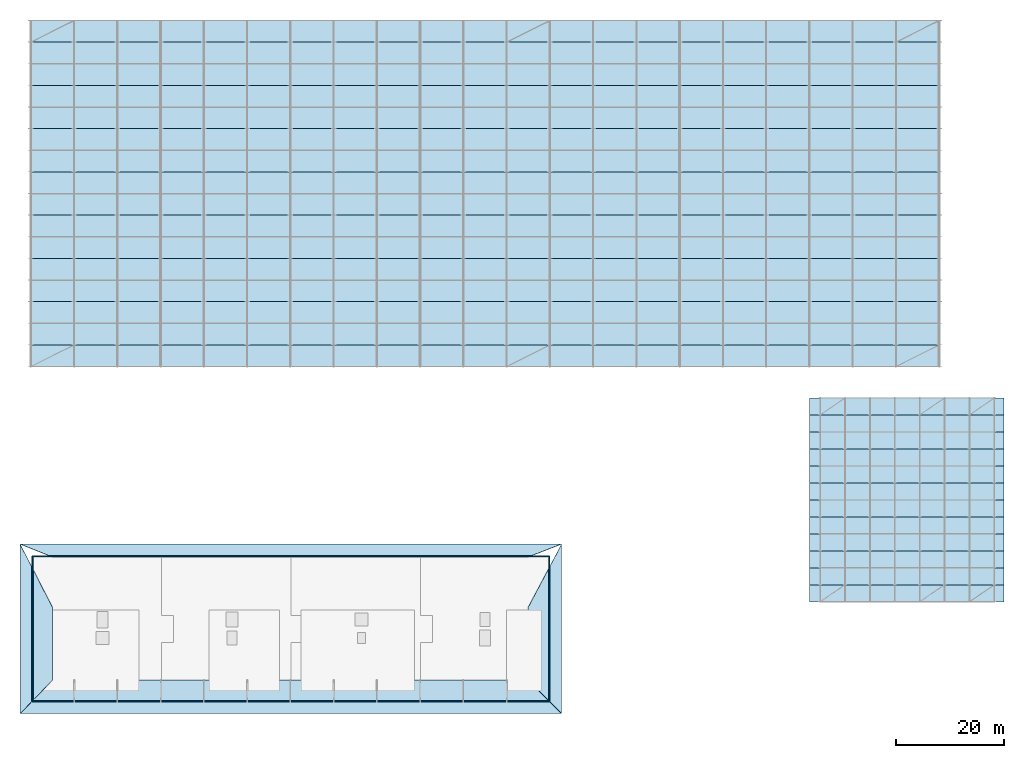
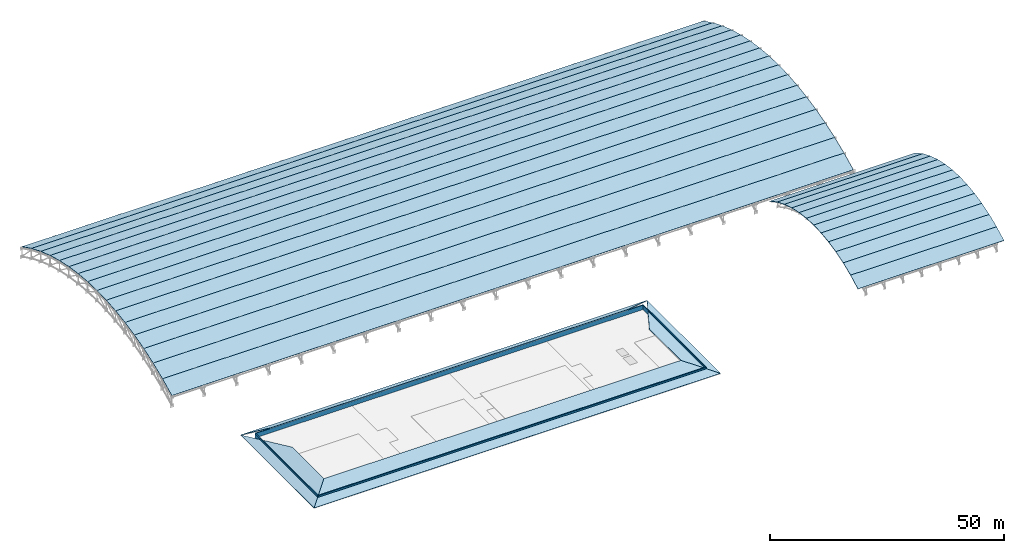
# One storey, part 97 of 98: 32 roofs, 4 walls.
"""IFC4 building model written with IfcOpenShell, lengths in metres."""

from ifc_helpers import new_model, si_unit, direction, frame, frame_2d, origin, place, context, subcontext, project, spatial, polyline, rectangle, outline, extrude, material, layer, layer_set, type_object, element, save


model = new_model("IFC4")

# Units and contexts
model_context = context("Model", 3, precision=1e-05, world=origin(), true_north=direction((0.0, 1.0)))
body_context = subcontext(model_context, "Body", "Model", "MODEL_VIEW")
ifc_project = project(units=[si_unit("LENGTHUNIT", "METRE"), si_unit("AREAUNIT", "SQUARE_METRE"), si_unit("VOLUMEUNIT", "CUBIC_METRE"), si_unit("PLANEANGLEUNIT", "RADIAN"), si_unit("MASSUNIT", "GRAM", prefix="KILO")], contexts=[model_context])

# Site, building, storey
site_placement = place(None, origin())
site = spatial("IfcSite", under=ifc_project, at=site_placement, CompositionType="ELEMENT")
building_placement = place(site_placement, origin())
building = spatial("IfcBuilding", under=site, at=building_placement, Name="Tlacozan Convention Centre", CompositionType="ELEMENT")
storey_placement = place(building_placement, frame((0.0, 0.0, 25.800048828125)))
storey = spatial("IfcBuildingStorey", under=building, at=storey_placement, Name="Roof", CompositionType="ELEMENT", Elevation=25.800048828125)

# Walls
ifc_material_1 = material(Name="Volcanic Cantera Stone Masonry", Category="masonry")
ifc_layer_1 = layer(ifc_material_1, 0.219970703125)
ifc_layer_set_1 = layer_set([ifc_layer_1], Name="Volcanic Cantera Stone Masonry")
wall_type = type_object("IfcWallType", Name="Roof Parapet Coping Wall 220", PredefinedType="PARAPET", material=ifc_layer_set_1)
wall_1_placement = place(storey_placement, frame((0.300048828125, 0.10009765625, 0.0), z_axis=(0.0, 0.0, 1.0), x_axis=(1.0, 0.0, 0.0)))
element("IfcWall", 1, at=wall_1_placement, inside=storey, type_object=wall_type, Name="Roof Roof Parapet Coping Wall 220 215", PredefinedType="PARAPET", context=body_context, shape_type="SweptSolid", body=[
    extrude(rectangle(XDim=95.599853515625, YDim=0.219970703125, at=frame_2d((47.7998046875, 0.0))), origin(), (0.0, 0.0, 1.0), 1.14990234375),
])
wall_2_placement = place(storey_placement, frame((95.89990234375, 0.10009765625, 0.0), z_axis=(0.0, 0.0, 1.0), x_axis=(0.0, 1.0, 0.0)))
element("IfcWall", 2, at=wall_2_placement, inside=storey, type_object=wall_type, Name="Roof Roof Parapet Coping Wall 220 216", PredefinedType="PARAPET", context=body_context, shape_type="SweptSolid", body=[
    extrude(rectangle(XDim=26.7998046875, YDim=0.219970703125, at=frame_2d((13.39990234375, 0.0))), origin(), (0.0, 0.0, 1.0), 1.14990234375),
])
wall_3_placement = place(storey_placement, frame((95.89990234375, 26.89990234375, 0.0), z_axis=(0.0, 0.0, 1.0), x_axis=(-1.0, 0.0, 0.0)))
element("IfcWall", 3, at=wall_3_placement, inside=storey, type_object=wall_type, Name="Roof Roof Parapet Coping Wall 220 217", PredefinedType="PARAPET", context=body_context, shape_type="SweptSolid", body=[
    extrude(rectangle(XDim=95.599853515625, YDim=0.219970703125, at=frame_2d((47.7998046875, 0.0))), origin(), (0.0, 0.0, 1.0), 1.14990234375),
])
wall_4_placement = place(storey_placement, frame((0.300048828125, 26.89990234375, 0.0), z_axis=(0.0, 0.0, 1.0), x_axis=(0.0, -1.0, 0.0)))
element("IfcWall", 4, at=wall_4_placement, inside=storey, type_object=wall_type, Name="Roof Roof Parapet Coping Wall 220 218", PredefinedType="PARAPET", context=body_context, shape_type="SweptSolid", body=[
    extrude(rectangle(XDim=26.7998046875, YDim=0.219970703125, at=frame_2d((13.39990234375, 0.0))), origin(), (0.0, 0.0, 1.0), 1.14990234375),
])

# Roofs
ifc_material_2 = material(Name="Standing-Seam Zinc-Bronze Roof Assembly")
ifc_layer_2 = layer(ifc_material_2, 0.090087890625)
ifc_layer_set_2 = layer_set([ifc_layer_2], Name="Standing-Seam Zinc-Bronze Roof Assembly")
roof_type_1 = type_object("IfcRoofType", Name="Barrel Vaulted Standing-Seam Hall Roof", PredefinedType="BARREL_ROOF", material=ifc_layer_set_2)
roof_1_placement = place(storey_placement, frame((0.0, 62.0, -10.218017578125), z_axis=(0.0, -0.441420866459, 0.897300183135), x_axis=(1.0, 0.0, 0.0)))
element("IfcRoof", 5, at=roof_1_placement, inside=storey, type_object=roof_type_1, Name="V2A Standing-Seam Barrel Roof Facet 1", PredefinedType="BARREL_ROOF", context=body_context, shape_type="SweptSolid", body=[
    extrude(outline(polyline([(0.0, 0.0), (168.0, 0.0), (168.0, 4.457816988317328), (0.0, 4.457816988317328), (0.0, 0.0)])), origin(), (0.0, 0.0, -1.0), 0.090087890625),
])
roof_2_placement = place(storey_placement, frame((0.0, 66.0, -8.250244140625), z_axis=(0.0, -0.382516157575, 0.923948802258), x_axis=(1.0, 0.0, 0.0)))
element("IfcRoof", 6, at=roof_2_placement, inside=storey, type_object=roof_type_1, Name="V2A Standing-Seam Barrel Roof Facet 2", PredefinedType="BARREL_ROOF", context=body_context, shape_type="SweptSolid", body=[
    extrude(outline(polyline([(0.0, 0.0), (168.0, 0.0), (168.0, 4.329244207281951), (0.0, 4.329244207281951), (0.0, 0.0)])), origin(), (0.0, 0.0, -1.0), 0.090087890625),
])
roof_3_placement = place(storey_placement, frame((0.0, 70.0, -6.59423828125), z_axis=(0.0, -0.323684958077, 0.946164915813), x_axis=(1.0, 0.0, 0.0)))
element("IfcRoof", 7, at=roof_3_placement, inside=storey, type_object=roof_type_1, Name="V2A Standing-Seam Barrel Roof Facet 3", PredefinedType="BARREL_ROOF", context=body_context, shape_type="SweptSolid", body=[
    extrude(outline(polyline([(0.0, 0.0), (168.0, 0.0), (168.0, 4.227592815111194), (0.0, 4.227592815111194), (0.0, 0.0)])), origin(), (0.0, 0.0, -1.0), 0.090087890625),
])
roof_4_placement = place(storey_placement, frame((0.0, 74.0, -5.225830078125), z_axis=(0.0, -0.26485005134, 0.964289609145), x_axis=(1.0, 0.0, 0.0)))
element("IfcRoof", 8, at=roof_4_placement, inside=storey, type_object=roof_type_1, Name="V2A Standing-Seam Barrel Roof Facet 4", PredefinedType="BARREL_ROOF", context=body_context, shape_type="SweptSolid", body=[
    extrude(outline(polyline([(0.0, 0.0), (168.0, 0.0), (168.0, 4.148131393374812), (0.0, 4.148131393374812), (0.0, 0.0)])), origin(), (0.0, 0.0, -1.0), 0.090087890625),
])
roof_5_placement = place(storey_placement, frame((0.0, 78.0, -4.127197265625), z_axis=(0.0, -0.205995430674, 0.978552953366), x_axis=(1.0, 0.0, 0.0)))
element("IfcRoof", 9, at=roof_5_placement, inside=storey, type_object=roof_type_1, Name="V2A Standing-Seam Barrel Roof Facet 5", PredefinedType="BARREL_ROOF", context=body_context, shape_type="SweptSolid", body=[
    extrude(outline(polyline([(0.0, 0.0), (168.0, 0.0), (168.0, 4.0876684151230736), (0.0, 4.0876684151230736), (0.0, 0.0)])), origin(), (0.0, 0.0, -1.0), 0.090087890625),
])
roof_6_placement = place(storey_placement, frame((0.0, 82.0, -3.28515625), z_axis=(0.0, -0.147124064872, 0.98911804631), x_axis=(1.0, 0.0, 0.0)))
element("IfcRoof", 10, at=roof_6_placement, inside=storey, type_object=roof_type_1, Name="V2A Standing-Seam Barrel Roof Facet 6", PredefinedType="BARREL_ROOF", context=body_context, shape_type="SweptSolid", body=[
    extrude(outline(polyline([(0.0, 0.0), (168.0, 0.0), (168.0, 4.044006693562346), (0.0, 4.044006693562346), (0.0, 0.0)])), origin(), (0.0, 0.0, -1.0), 0.090087890625),
])
roof_7_placement = place(storey_placement, frame((0.0, 86.0, -2.690185546875), z_axis=(0.0, -0.088277058926, 0.996095959668), x_axis=(1.0, 0.0, 0.0)))
element("IfcRoof", 11, at=roof_7_placement, inside=storey, type_object=roof_type_1, Name="V2A Standing-Seam Barrel Roof Facet 7", PredefinedType="BARREL_ROOF", context=body_context, shape_type="SweptSolid", body=[
    extrude(outline(polyline([(0.0, 0.0), (168.0, 0.0), (168.0, 4.015677366397671), (0.0, 4.015677366397671), (0.0, 0.0)])), origin(), (0.0, 0.0, -1.0), 0.090087890625),
])
for number, where, z_axis, x_axis, name in (
    (12, (0.0, 90.0, -2.335693359375), (0.0, -0.029406222899, 0.999567543518), (1.0, 0.0, 0.0), "V2A Standing-Seam Barrel Roof Facet 8"),
    (13, (0.0, 94.0, -2.218017578125), (0.0, 0.029406222899, 0.999567543518), (1.0, 0.0, 0.0), "V2A Standing-Seam Barrel Roof Facet 9"),
):
    element("IfcRoof", number, at=place(storey_placement, frame(where, z_axis=z_axis, x_axis=x_axis)), inside=storey, type_object=roof_type_1, Name=name, PredefinedType="BARREL_ROOF", context=body_context, shape_type="SweptSolid", body=[
        extrude(outline(polyline([(0.0, 0.0), (168.0, 0.0), (168.0, 4.001730574325662), (0.0, 4.001730574325662), (0.0, 0.0)])), origin(), (0.0, 0.0, -1.0), 0.090087890625),
    ])
roof_8_placement = place(storey_placement, frame((0.0, 98.0, -2.335693359375), z_axis=(0.0, 0.088277058926, 0.996095959668), x_axis=(1.0, 0.0, 0.0)))
element("IfcRoof", 14, at=roof_8_placement, inside=storey, type_object=roof_type_1, Name="V2A Standing-Seam Barrel Roof Facet 10", PredefinedType="BARREL_ROOF", context=body_context, shape_type="SweptSolid", body=[
    extrude(outline(polyline([(0.0, 0.0), (168.0, 0.0), (168.0, 4.015677366397671), (0.0, 4.015677366397671), (0.0, 0.0)])), origin(), (0.0, 0.0, -1.0), 0.090087890625),
])
roof_9_placement = place(storey_placement, frame((0.0, 102.0, -2.690185546875), z_axis=(0.0, 0.147124064872, 0.98911804631), x_axis=(1.0, 0.0, 0.0)))
element("IfcRoof", 15, at=roof_9_placement, inside=storey, type_object=roof_type_1, Name="V2A Standing-Seam Barrel Roof Facet 11", PredefinedType="BARREL_ROOF", context=body_context, shape_type="SweptSolid", body=[
    extrude(outline(polyline([(0.0, 0.0), (168.0, 0.0), (168.0, 4.044006693562346), (0.0, 4.044006693562346), (0.0, 0.0)])), origin(), (0.0, 0.0, -1.0), 0.090087890625),
])
roof_10_placement = place(storey_placement, frame((0.0, 106.0, -3.28515625), z_axis=(0.0, 0.205995430674, 0.978552953366), x_axis=(1.0, 0.0, 0.0)))
element("IfcRoof", 16, at=roof_10_placement, inside=storey, type_object=roof_type_1, Name="V2A Standing-Seam Barrel Roof Facet 12", PredefinedType="BARREL_ROOF", context=body_context, shape_type="SweptSolid", body=[
    extrude(outline(polyline([(0.0, 0.0), (168.0, 0.0), (168.0, 4.0876684151230736), (0.0, 4.0876684151230736), (0.0, 0.0)])), origin(), (0.0, 0.0, -1.0), 0.090087890625),
])
roof_11_placement = place(storey_placement, frame((0.0, 110.0, -4.127197265625), z_axis=(0.0, 0.26485005134, 0.964289609145), x_axis=(1.0, 0.0, 0.0)))
element("IfcRoof", 17, at=roof_11_placement, inside=storey, type_object=roof_type_1, Name="V2A Standing-Seam Barrel Roof Facet 13", PredefinedType="BARREL_ROOF", context=body_context, shape_type="SweptSolid", body=[
    extrude(outline(polyline([(0.0, 0.0), (168.0, 0.0), (168.0, 4.148131393374812), (0.0, 4.148131393374812), (0.0, 0.0)])), origin(), (0.0, 0.0, -1.0), 0.090087890625),
])
roof_12_placement = place(storey_placement, frame((0.0, 114.0, -5.225830078125), z_axis=(0.0, 0.323684958077, 0.946164915813), x_axis=(1.0, 0.0, 0.0)))
element("IfcRoof", 18, at=roof_12_placement, inside=storey, type_object=roof_type_1, Name="V2A Standing-Seam Barrel Roof Facet 14", PredefinedType="BARREL_ROOF", context=body_context, shape_type="SweptSolid", body=[
    extrude(outline(polyline([(0.0, 0.0), (168.0, 0.0), (168.0, 4.227592815111194), (0.0, 4.227592815111194), (0.0, 0.0)])), origin(), (0.0, 0.0, -1.0), 0.090087890625),
])
roof_13_placement = place(storey_placement, frame((0.0, 118.0, -6.59423828125), z_axis=(0.0, 0.382516157575, 0.923948802258), x_axis=(1.0, 0.0, 0.0)))
element("IfcRoof", 19, at=roof_13_placement, inside=storey, type_object=roof_type_1, Name="V2A Standing-Seam Barrel Roof Facet 15", PredefinedType="BARREL_ROOF", context=body_context, shape_type="SweptSolid", body=[
    extrude(outline(polyline([(0.0, 0.0), (168.0, 0.0), (168.0, 4.329244207281951), (0.0, 4.329244207281951), (0.0, 0.0)])), origin(), (0.0, 0.0, -1.0), 0.090087890625),
])
roof_14_placement = place(storey_placement, frame((0.0, 122.0, -8.250244140625), z_axis=(0.0, 0.441420866459, 0.897300183135), x_axis=(1.0, 0.0, 0.0)))
element("IfcRoof", 20, at=roof_14_placement, inside=storey, type_object=roof_type_1, Name="V2A Standing-Seam Barrel Roof Facet 16", PredefinedType="BARREL_ROOF", context=body_context, shape_type="SweptSolid", body=[
    extrude(outline(polyline([(0.0, 0.0), (168.0, 0.0), (168.0, 4.457816988317328), (0.0, 4.457816988317328), (0.0, 0.0)])), origin(), (0.0, 0.0, -1.0), 0.090087890625),
])
roof_15_placement = place(storey_placement, frame((144.0, 18.5, -6.447998046875), z_axis=(0.0, -0.47053840742, 0.882379514235), x_axis=(1.0, 0.0, 0.0)))
element("IfcRoof", 21, at=roof_15_placement, inside=storey, type_object=roof_type_1, Name="V3A Standing-Seam Barrel Roof Facet 1", PredefinedType="BARREL_ROOF", context=body_context, shape_type="SweptSolid", body=[
    extrude(outline(polyline([(0.0, 0.0), (36.0, 0.0), (36.0, 3.560374546118095), (0.0, 3.560374546118095), (0.0, 0.0)])), origin(), (0.0, 0.0, -1.0), 0.090087890625),
])
roof_16_placement = place(storey_placement, frame((144.0, 21.6416015625, -4.772705078125), z_axis=(0.0, -0.384941300464, 0.922941057271), x_axis=(1.0, 0.0, 0.0)))
element("IfcRoof", 22, at=roof_16_placement, inside=storey, type_object=roof_type_1, Name="V3A Standing-Seam Barrel Roof Facet 2", PredefinedType="BARREL_ROOF", context=body_context, shape_type="SweptSolid", body=[
    extrude(outline(polyline([(0.0, 0.0), (36.0, 0.0), (36.0, 3.4039027061907987), (0.0, 3.4039027061907987), (0.0, 0.0)])), origin(), (0.0, 0.0, -1.0), 0.090087890625),
])
roof_17_placement = place(storey_placement, frame((144.0, 24.783203125, -3.46240234375), z_axis=(0.0, -0.299385073186, 0.954132369199), x_axis=(1.0, 0.0, 0.0)))
element("IfcRoof", 23, at=roof_17_placement, inside=storey, type_object=roof_type_1, Name="V3A Standing-Seam Barrel Roof Facet 3", PredefinedType="BARREL_ROOF", context=body_context, shape_type="SweptSolid", body=[
    extrude(outline(polyline([(0.0, 0.0), (36.0, 0.0), (36.0, 3.292882418151315), (0.0, 3.292882418151315), (0.0, 0.0)])), origin(), (0.0, 0.0, -1.0), 0.090087890625),
])
roof_18_placement = place(storey_placement, frame((144.0, 27.925048828125, -2.4765625), z_axis=(0.0, -0.213778382995, 0.976882184792), x_axis=(1.0, 0.0, 0.0)))
element("IfcRoof", 24, at=roof_18_placement, inside=storey, type_object=roof_type_1, Name="V3A Standing-Seam Barrel Roof Facet 4", PredefinedType="BARREL_ROOF", context=body_context, shape_type="SweptSolid", body=[
    extrude(outline(polyline([(0.0, 0.0), (36.0, 0.0), (36.0, 3.2159472364301065), (0.0, 3.2159472364301065), (0.0, 0.0)])), origin(), (0.0, 0.0, -1.0), 0.090087890625),
])
roof_19_placement = place(storey_placement, frame((144.0, 31.066650390625, -1.7890625), z_axis=(0.0, -0.128321022516, 0.991732683328), x_axis=(1.0, 0.0, 0.0)))
element("IfcRoof", 25, at=roof_19_placement, inside=storey, type_object=roof_type_1, Name="V3A Standing-Seam Barrel Roof Facet 5", PredefinedType="BARREL_ROOF", context=body_context, shape_type="SweptSolid", body=[
    extrude(outline(polyline([(0.0, 0.0), (36.0, 0.0), (36.0, 3.1677906912965224), (0.0, 3.1677906912965224), (0.0, 0.0)])), origin(), (0.0, 0.0, -1.0), 0.090087890625),
])
roof_20_placement = place(storey_placement, frame((144.0, 34.208251953125, -1.382568359375), z_axis=(0.0, -0.042776877953, 0.999084650424), x_axis=(1.0, 0.0, 0.0)))
element("IfcRoof", 26, at=roof_20_placement, inside=storey, type_object=roof_type_1, Name="V3A Standing-Seam Barrel Roof Facet 6", PredefinedType="BARREL_ROOF", context=body_context, shape_type="SweptSolid", body=[
    extrude(outline(polyline([(0.0, 0.0), (36.0, 0.0), (36.0, 3.144724225111556), (0.0, 3.144724225111556), (0.0, 0.0)])), origin(), (0.0, 0.0, -1.0), 0.090087890625),
])
roof_21_placement = place(storey_placement, frame((144.0, 37.35009765625, -1.248046875), z_axis=(0.0, 0.042780196153, 0.999084508346), x_axis=(1.0, 0.0, 0.0)))
element("IfcRoof", 27, at=roof_21_placement, inside=storey, type_object=roof_type_1, Name="V3A Standing-Seam Barrel Roof Facet 7", PredefinedType="BARREL_ROOF", context=body_context, shape_type="SweptSolid", body=[
    extrude(outline(polyline([(0.0, 0.0), (36.0, 0.0), (36.0, 3.144480307977917), (0.0, 3.144480307977917), (0.0, 0.0)])), origin(), (0.0, 0.0, -1.0), 0.090087890625),
])
roof_22_placement = place(storey_placement, frame((144.0, 40.49169921875, -1.382568359375), z_axis=(0.0, 0.128321022516, 0.991732683328), x_axis=(1.0, 0.0, 0.0)))
element("IfcRoof", 28, at=roof_22_placement, inside=storey, type_object=roof_type_1, Name="V3A Standing-Seam Barrel Roof Facet 8", PredefinedType="BARREL_ROOF", context=body_context, shape_type="SweptSolid", body=[
    extrude(outline(polyline([(0.0, 0.0), (36.0, 0.0), (36.0, 3.1677906912965224), (0.0, 3.1677906912965224), (0.0, 0.0)])), origin(), (0.0, 0.0, -1.0), 0.090087890625),
])
roof_23_placement = place(storey_placement, frame((144.0, 43.63330078125, -1.7890625), z_axis=(0.0, 0.213778382995, 0.976882184792), x_axis=(1.0, 0.0, 0.0)))
element("IfcRoof", 29, at=roof_23_placement, inside=storey, type_object=roof_type_1, Name="V3A Standing-Seam Barrel Roof Facet 9", PredefinedType="BARREL_ROOF", context=body_context, shape_type="SweptSolid", body=[
    extrude(outline(polyline([(0.0, 0.0), (36.0, 0.0), (36.0, 3.2159472364301065), (0.0, 3.2159472364301065), (0.0, 0.0)])), origin(), (0.0, 0.0, -1.0), 0.090087890625),
])
roof_24_placement = place(storey_placement, frame((144.0, 46.77490234375, -2.4765625), z_axis=(0.0, 0.299385073186, 0.954132369199), x_axis=(1.0, 0.0, 0.0)))
element("IfcRoof", 30, at=roof_24_placement, inside=storey, type_object=roof_type_1, Name="V3A Standing-Seam Barrel Roof Facet 10", PredefinedType="BARREL_ROOF", context=body_context, shape_type="SweptSolid", body=[
    extrude(outline(polyline([(0.0, 0.0), (36.0, 0.0), (36.0, 3.292882418151315), (0.0, 3.292882418151315), (0.0, 0.0)])), origin(), (0.0, 0.0, -1.0), 0.090087890625),
])
roof_25_placement = place(storey_placement, frame((144.0, 49.916748046875, -3.46240234375), z_axis=(0.0, 0.384941300464, 0.922941057271), x_axis=(1.0, 0.0, 0.0)))
element("IfcRoof", 31, at=roof_25_placement, inside=storey, type_object=roof_type_1, Name="V3A Standing-Seam Barrel Roof Facet 11", PredefinedType="BARREL_ROOF", context=body_context, shape_type="SweptSolid", body=[
    extrude(outline(polyline([(0.0, 0.0), (36.0, 0.0), (36.0, 3.4039027061907987), (0.0, 3.4039027061907987), (0.0, 0.0)])), origin(), (0.0, 0.0, -1.0), 0.090087890625),
])
roof_26_placement = place(storey_placement, frame((144.0, 53.058349609375, -4.772705078125), z_axis=(0.0, 0.47053840742, 0.882379514235), x_axis=(1.0, 0.0, 0.0)))
element("IfcRoof", 32, at=roof_26_placement, inside=storey, type_object=roof_type_1, Name="V3A Standing-Seam Barrel Roof Facet 12", PredefinedType="BARREL_ROOF", context=body_context, shape_type="SweptSolid", body=[
    extrude(outline(polyline([(0.0, 0.0), (36.0, 0.0), (36.0, 3.560374546118095), (0.0, 3.560374546118095), (0.0, 0.0)])), origin(), (0.0, 0.0, -1.0), 0.090087890625),
])
ifc_layer_3 = layer(ifc_material_2, 0.080078125)
ifc_layer_set_3 = layer_set([ifc_layer_3], Name="Standing-Seam Zinc-Bronze Roof Assembly")
roof_type_2 = type_object("IfcRoofType", Name="Prairie Hipped Standing-Seam Roof", PredefinedType="HIP_ROOF", material=ifc_layer_set_3)
roof_27_placement = place(storey_placement, frame((-2.0, -2.199951171875, 0.117919921875), z_axis=(0.0, -0.278819195264, 0.960343613689), x_axis=(1.0, 0.0, 0.0)))
element("IfcRoof", 33, at=roof_27_placement, inside=storey, type_object=roof_type_2, Name="V1 Prairie Standing-Seam Roof SOUTH", PredefinedType="HIP_ROOF", context=body_context, shape_type="SweptSolid", body=[
    extrude(outline(polyline([(0.0, 0.0), (100.199951171875, 0.0), (94.0, 6.455971678784564), (6.0, 6.455971678784564), (0.0, 0.0)])), origin(), (0.0, 0.0, -1.0), 0.080078125),
])
roof_28_placement = place(storey_placement, frame((-2.0, 29.199951171875, 0.117919921875), z_axis=(-0.287355036744, 0.0, 0.957824139839), x_axis=(0.0, -1.0, 0.0)))
element("IfcRoof", 34, at=roof_28_placement, inside=storey, type_object=roof_type_2, Name="V1 Prairie Standing-Seam Roof WEST", PredefinedType="HIP_ROOF", context=body_context, shape_type="SweptSolid", body=[
    extrude(outline(polyline([(0.0, 0.0), (31.39990234375, 0.0), (25.199951171875, 6.264197936179396), (11.699951171875, 6.264197936179396), (0.0, 0.0)])), origin(), (0.0, 0.0, -1.0), 0.080078125),
])
roof_29_placement = place(storey_placement, frame((98.199951171875, -2.199951171875, 0.117919921875), z_axis=(0.278819195264, 0.0, 0.960343613689), x_axis=(0.0, 1.0, 0.0)))
element("IfcRoof", 35, at=roof_29_placement, inside=storey, type_object=roof_type_2, Name="V1 Prairie Standing-Seam Roof EAST", PredefinedType="HIP_ROOF", context=body_context, shape_type="SweptSolid", body=[
    extrude(outline(polyline([(0.0, 0.0), (31.39990234375, 0.0), (19.699951171875, 6.455971678784563), (6.199951171875, 6.455971678784563), (0.0, 0.0)])), origin(), (0.0, 0.0, -1.0), 0.080078125),
])
roof_30_placement = place(storey_placement, frame((98.199951171875, 29.199951171875, 0.117919921875), z_axis=(0.0, 0.4472135955, 0.894427191), x_axis=(-1.0, 0.0, 0.0)))
element("IfcRoof", 36, at=roof_30_placement, inside=storey, type_object=roof_type_2, Name="V1 Prairie Standing-Seam Roof NORTH", PredefinedType="HIP_ROOF", context=body_context, shape_type="SweptSolid", body=[
    extrude(outline(polyline([(0.0, 0.0), (100.199951171875, 0.0), (94.199951171875, 2.6831723899930338), (6.199951171875, 2.6831723899930338), (0.0, 0.0)])), origin(), (0.0, 0.0, -1.0), 0.080078125),
])

save(model, "model.ifc")
